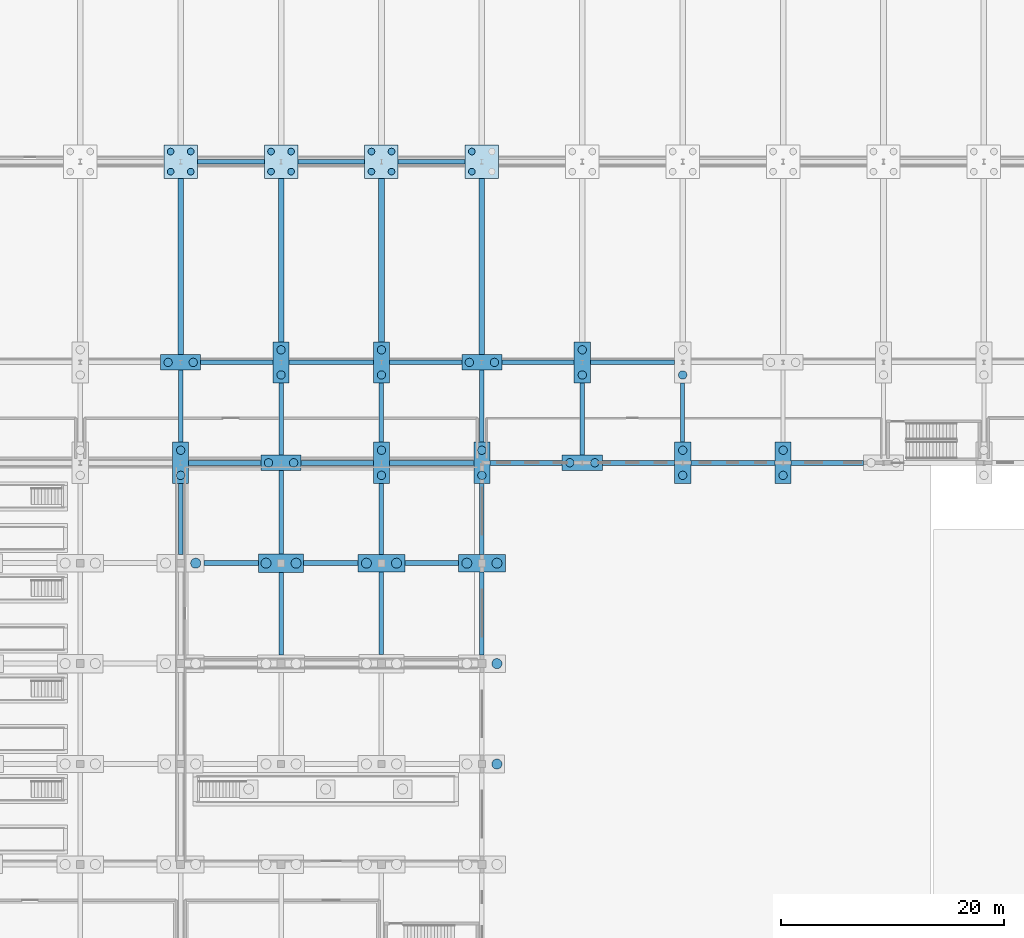
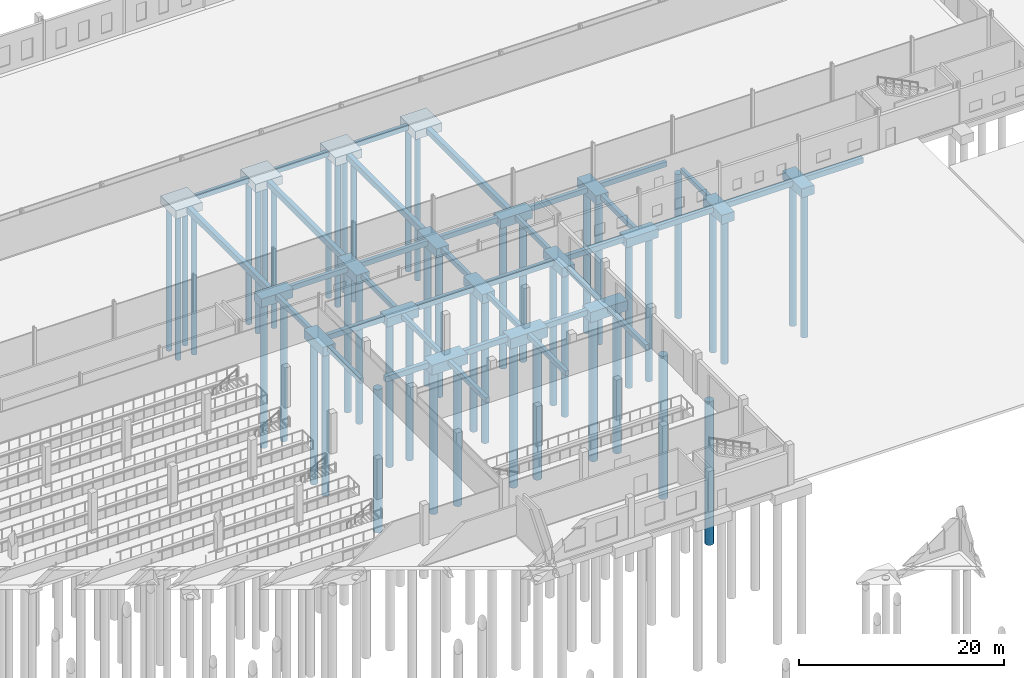
# One storey, part 9 of 112: 54 footings, 48 piles.
"""IFC4 building model written with IfcOpenShell, lengths in metres."""

import ifcopenshell
import ifcopenshell.guid

model = None  # the IFC model being written
_history = None  # IfcOwnerHistory: only IFC2X3 demands one
_inside = {}  # id of a spatial element -> (the spatial element, [elements in it])
_under = {}  # id of a project, library or spatial element -> (it, [spatial elements below it])
_declared = {}  # id of a project -> (the project, [libraries it declares])
_typed = {}  # id of a type object -> (the type object, [elements of that type])
_made_of = {}  # id of a material, layer set ... -> (it, [elements and type objects made of it])


def new_model(schema):
    """Start an empty IFC model of exactly this schema.

    Asked for "IFC4X3", IfcOpenShell would pick the latest addendum, in which some entities
    have other attributes; the version numbers below select the first issue.
    IFC2X3 requires an IfcOwnerHistory on every rooted entity: one is made here for all.
    """
    global model, _history
    if schema == "IFC4X3":
        model = ifcopenshell.file(schema_version=(4, 3, 0, 0))
    else:
        model = ifcopenshell.file(schema=schema)
    _inside.clear()
    _under.clear()
    _declared.clear()
    _typed.clear()
    _made_of.clear()
    _history = None
    if model.schema == "IFC2X3":
        org = make("IfcOrganization", Name="unknown")
        user = make(
            "IfcPersonAndOrganization",
            ThePerson=make("IfcPerson", FamilyName="unknown"),
            TheOrganization=org,
        )
        app = make(
            "IfcApplication",
            ApplicationDeveloper=org,
            Version="unknown",
            ApplicationFullName="unknown",
            ApplicationIdentifier="unknown",
        )
        _history = make(
            "IfcOwnerHistory",
            OwningUser=user,
            OwningApplication=app,
            ChangeAction="ADDED",
            CreationDate=0,
        )
    return model


def make(cls, **values):
    """One entity of the class cls with the attributes given. An attribute that is None is left unset."""
    return model.create_entity(
        cls, **{name: value for name, value in values.items() if value is not None}
    )


def rooted(cls, **values):
    """An entity with a GlobalId (a new one), such as an element, a storey or a relation."""
    return make(cls, GlobalId=ifcopenshell.guid.new(), OwnerHistory=_history, **values)


def si_unit(unit_type, name, prefix=None):
    """IfcSIUnit, for example si_unit("LENGTHUNIT", "METRE", prefix="MILLI")."""
    return make("IfcSIUnit", UnitType=unit_type, Prefix=prefix, Name=name)


def assignment(units):
    """IfcUnitAssignment: the units of a project."""
    return None if units is None else make("IfcUnitAssignment", Units=units)


def point(xyz):
    """IfcCartesianPoint."""
    return None if xyz is None else make("IfcCartesianPoint", Coordinates=xyz)


def direction(xyz):
    """IfcDirection."""
    return None if xyz is None else make("IfcDirection", DirectionRatios=xyz)


def frame(location, z_axis=None, x_axis=None):
    """IfcAxis2Placement3D, a coordinate frame: its origin and axes. An axis left out is left unset."""
    return make(
        "IfcAxis2Placement3D",
        Location=point(location),
        Axis=direction(z_axis),
        RefDirection=direction(x_axis),
    )


def frame_2d(location, x_axis=None):
    """IfcAxis2Placement2D, a coordinate frame in the plane: its origin and x axis."""
    return make(
        "IfcAxis2Placement2D", Location=point(location), RefDirection=direction(x_axis)
    )


def origin():
    """The frame at (0, 0, 0) with its axes left unset."""
    return frame((0.0, 0.0, 0.0))


def origin_2d():
    """The frame at (0, 0) in the plane with its x axis left unset."""
    return frame_2d((0.0, 0.0))


def place(relative_to, where):
    """IfcLocalPlacement: puts the frame where relative to a parent placement (None: the world)."""
    return make(
        "IfcLocalPlacement", PlacementRelTo=relative_to, RelativePlacement=where
    )


def context(
    kind, dimensions, precision=None, world=None, true_north=None, identifier=None
):
    """IfcGeometricRepresentationContext, for example the 3D "Model" context."""
    return make(
        "IfcGeometricRepresentationContext",
        ContextIdentifier=identifier,
        ContextType=kind,
        CoordinateSpaceDimension=dimensions,
        Precision=precision,
        WorldCoordinateSystem=world,
        TrueNorth=true_north,
    )


def subcontext(parent, identifier, kind, view, scale=None):
    """IfcGeometricRepresentationSubContext, for example "Body" below "Model"."""
    return make(
        "IfcGeometricRepresentationSubContext",
        ContextIdentifier=identifier,
        ContextType=kind,
        ParentContext=parent,
        TargetScale=scale,
        TargetView=view,
    )


def project(units=None, contexts=None):
    """IfcProject with its units and contexts."""
    return rooted(
        "IfcProject",
        Name="project",
        RepresentationContexts=contexts,
        UnitsInContext=assignment(units),
    )


def spatial(cls, under=None, at=None, **own):
    """A site, building, storey or space (cls), placed at a placement, below another one or the project."""
    s = rooted(cls, ObjectPlacement=at, **own)
    if under is not None:
        _under.setdefault(under.id(), (under, []))[1].append(s)
    return s


def polyline(points):
    """IfcPolyline through the points."""
    return make("IfcPolyline", Points=[point(p) for p in points])


def profile(cls, at=None, kind="AREA", **sizes):
    """A parametric profile (cls). Its sizes go by their IFC names, for example OverallWidth=200.0."""
    return make(cls, ProfileType=kind, Position=at, **sizes)


def rectangle(**sizes):
    """IfcRectangleProfileDef."""
    return profile("IfcRectangleProfileDef", **sizes)


def circle(**sizes):
    """IfcCircleProfileDef."""
    return profile("IfcCircleProfileDef", **sizes)


def outline(outer, holes=None, kind="AREA"):
    """IfcArbitraryClosedProfileDef: a profile drawn as a closed curve; with holes, ...WithVoids."""
    if holes is None:
        return make("IfcArbitraryClosedProfileDef", ProfileType=kind, OuterCurve=outer)
    return make(
        "IfcArbitraryProfileDefWithVoids",
        ProfileType=kind,
        OuterCurve=outer,
        InnerCurves=holes,
    )


def extrude(swept, where, along, depth):
    """IfcExtrudedAreaSolid: the profile swept, set in the frame where, extruded along a direction by depth."""
    return make(
        "IfcExtrudedAreaSolid",
        SweptArea=swept,
        Position=where,
        ExtrudedDirection=direction(along),
        Depth=depth,
    )


def shape(context_of_items, identifier, shape_type, items):
    """IfcShapeRepresentation: the items that make up one representation, for example the "Body"."""
    return make(
        "IfcShapeRepresentation",
        ContextOfItems=context_of_items,
        RepresentationIdentifier=identifier,
        RepresentationType=shape_type,
        Items=items,
    )


def material(Name=None, Category=None):
    """IfcMaterial."""
    return make("IfcMaterial", Name=Name, Category=Category)


def material_profile(
    of_material, cross_section, Name=None, Category=None, Priority=None
):
    """IfcMaterialProfile: a cross section and its material."""
    return make(
        "IfcMaterialProfile",
        Name=Name,
        Material=of_material,
        Profile=cross_section,
        Priority=Priority,
        Category=Category,
    )


def profile_set(profiles, Name=None, composite=None):
    """IfcMaterialProfileSet."""
    return make(
        "IfcMaterialProfileSet",
        Name=Name,
        MaterialProfiles=profiles,
        CompositeProfile=composite,
    )


def made_of(thing, what):
    """Note that an element or type object is made of a material, layer set ...; save() writes the relation."""
    if what is not None:
        _made_of.setdefault(what.id(), (what, []))[1].append(thing)
    return thing


def type_object(cls, material=None, **own):
    """A type object (cls), such as IfcWallType, which elements share."""
    return made_of(rooted(cls, **own), material)


def element(
    cls,
    number,
    at=None,
    inside=None,
    cuts=None,
    type_object=None,
    material=None,
    context=None,
    identifier="Body",
    shape_type=None,
    held_by="IfcProductDefinitionShape",
    body=None,
    shapes=None,
    **own,
):
    """One element of the class cls, such as IfcWall. Its Tag is "e" and its number.

    at: its placement. inside: the storey or other place that contains it. cuts: it is an
    opening in that element (IfcRelVoidsElement). A single representation is given by context,
    identifier, shape_type and body (its items); several are given by shapes. held_by: the class
    of the entity that holds the representations. save() writes the other relations.
    """
    e = rooted(cls, Tag="e%d" % number, ObjectPlacement=at, **own)
    if body is not None:
        shapes = [shape(context, identifier, shape_type, body)]
    if shapes is not None:
        e.Representation = make(held_by, Representations=shapes)
    if inside is not None:
        _inside.setdefault(inside.id(), (inside, []))[1].append(e)
    if cuts is not None:
        rooted(
            "IfcRelVoidsElement", RelatingBuildingElement=cuts, RelatedOpeningElement=e
        )
    if type_object is not None:
        _typed.setdefault(type_object.id(), (type_object, []))[1].append(e)
    return made_of(e, material)


def aggregate(whole, parts):
    """IfcRelAggregates: a whole, such as a stair, and the parts it consists of."""
    return rooted("IfcRelAggregates", RelatingObject=whole, RelatedObjects=parts)


def save(model, path):
    """Write the relations noted so far, then the file.

    IfcRelAggregates (storeys below a building ...), IfcRelContainedInSpatialStructure (elements
    in a storey), IfcRelDefinesByType, IfcRelAssociatesMaterial and IfcRelDeclares: one each for
    every whole, place, type object, material and project.
    """
    for whole, parts in _under.values():
        aggregate(whole, parts)
    for where, things in _inside.values():
        rooted(
            "IfcRelContainedInSpatialStructure",
            RelatedElements=things,
            RelatingStructure=where,
        )
    for kind, things in _typed.values():
        rooted("IfcRelDefinesByType", RelatedObjects=things, RelatingType=kind)
    for what, things in _made_of.values():
        rooted("IfcRelAssociatesMaterial", RelatedObjects=things, RelatingMaterial=what)
    for by, libraries in _declared.values():
        rooted("IfcRelDeclares", RelatingContext=by, RelatedDefinitions=libraries)
    model.write(path)


model = new_model("IFC4")

# Units and contexts
model_context = context("Model", 3, precision=1e-05, world=origin(), true_north=direction((0.0, 1.0)))
body_context = subcontext(model_context, "Body", "Model", "MODEL_VIEW")
ifc_project = project(units=[si_unit("LENGTHUNIT", "METRE"), si_unit("AREAUNIT", "SQUARE_METRE"), si_unit("VOLUMEUNIT", "CUBIC_METRE"), si_unit("PLANEANGLEUNIT", "RADIAN"), si_unit("MASSUNIT", "GRAM", prefix="KILO")], contexts=[model_context])

# Site, building, storey
site_placement = place(None, origin())
site = spatial("IfcSite", under=ifc_project, at=site_placement, CompositionType="ELEMENT")
building_placement = place(site_placement, origin())
building = spatial("IfcBuilding", under=site, at=building_placement, Name="Tharagai Park Tramway Depot", CompositionType="ELEMENT")
storey_placement = place(building_placement, origin())
storey = spatial("IfcBuildingStorey", under=building, at=storey_placement, Name="L00", CompositionType="ELEMENT", Elevation=0.0)

# Piles
ifc_material = material(Name="Concrete M40", Category="concrete")
ifc_material_profile_1 = material_profile(ifc_material, circle(Radius=0.449951171875, at=origin_2d()), Name="PILE D900")
ifc_profile_set_1 = profile_set([ifc_material_profile_1], Name="Concrete M40")
pile_type_1 = type_object("IfcPileType", Name="BP-01", PredefinedType="BORED", material=ifc_profile_set_1)
pile_1_placement = place(storey_placement, frame((64.35009765625, 81.0, -1.39990234375), z_axis=(0.0, 0.0, -1.0), x_axis=(1.0, 0.0, 0.0)))
element("IfcPile", 1, at=pile_1_placement, inside=storey, type_object=pile_type_1, Name="Bored Pile BP-01 (63,81) #2", PredefinedType="BORED", context=body_context, shape_type="SweptSolid", body=[
    extrude(circle(Radius=0.449951171875, at=origin_2d()), origin(), (0.0, 0.0, 1.0), 17.10009765625),
])
for number, where, z_axis, x_axis, name in (
    (2, (70.64990234375, 81.0, -1.3798828125), (0.0, 0.0, -1.0), (1.0, 0.0, 0.0), "Bored Pile BP-01 (72,81) #1"),
    (3, (73.35009765625, 81.0, -1.3798828125), (0.0, 0.0, -1.0), (1.0, 0.0, 0.0), "Bored Pile BP-01 (72,81) #2"),
):
    element("IfcPile", number, at=place(storey_placement, frame(where, z_axis=z_axis, x_axis=x_axis)), inside=storey, type_object=pile_type_1, Name=name, PredefinedType="BORED", context=body_context, shape_type="SweptSolid", body=[
        extrude(circle(Radius=0.449951171875, at=origin_2d()), origin(), (0.0, 0.0, 1.0), 17.1201171875),
    ])
for number, where, z_axis, x_axis, name in (
    (4, (79.64990234375, 81.0, -1.39990234375), (0.0, 0.0, -1.0), (1.0, 0.0, 0.0), "Bored Pile BP-01 (81,81) #1"),
    (5, (82.35009765625, 81.0, -1.39990234375), (0.0, 0.0, -1.0), (1.0, 0.0, 0.0), "Bored Pile BP-01 (81,81) #2"),
):
    element("IfcPile", number, at=place(storey_placement, frame(where, z_axis=z_axis, x_axis=x_axis)), inside=storey, type_object=pile_type_1, Name=name, PredefinedType="BORED", context=body_context, shape_type="SweptSolid", body=[
        extrude(circle(Radius=0.449951171875, at=origin_2d()), origin(), (0.0, 0.0, 1.0), 17.10009765625),
    ])
pile_2_placement = place(storey_placement, frame((91.35009765625, 63.0, -1.3798828125), z_axis=(0.0, 0.0, -1.0), x_axis=(1.0, 0.0, 0.0)))
element("IfcPile", 6, at=pile_2_placement, inside=storey, type_object=pile_type_1, Name="Bored Pile BP-01 (90,63) #2", PredefinedType="BORED", context=body_context, shape_type="SweptSolid", body=[
    extrude(circle(Radius=0.449951171875, at=origin_2d()), origin(), (0.0, 0.0, 1.0), 17.1201171875),
])
for number, where, z_axis, x_axis, name in (
    (7, (91.35009765625, 72.0, -1.39990234375), (0.0, 0.0, -1.0), (1.0, 0.0, 0.0), "Bored Pile BP-01 (90,72) #2"),
    (8, (88.64990234375, 81.0, -1.39990234375), (0.0, 0.0, -1.0), (1.0, 0.0, 0.0), "Bored Pile BP-01 (90,81) #1"),
    (9, (91.35009765625, 81.0, -1.39990234375), (0.0, 0.0, -1.0), (1.0, 0.0, 0.0), "Bored Pile BP-01 (90,81) #2"),
):
    element("IfcPile", number, at=place(storey_placement, frame(where, z_axis=z_axis, x_axis=x_axis)), inside=storey, type_object=pile_type_1, Name=name, PredefinedType="BORED", context=body_context, shape_type="SweptSolid", body=[
        extrude(circle(Radius=0.449951171875, at=origin_2d()), origin(), (0.0, 0.0, 1.0), 17.10009765625),
    ])
ifc_material_profile_2 = material_profile(ifc_material, circle(Radius=0.375, at=origin_2d()), Name="PILE D750")
ifc_profile_set_2 = profile_set([ifc_material_profile_2], Name="Concrete M40")
pile_type_2 = type_object("IfcPileType", Name="BP-02", PredefinedType="BORED", material=ifc_profile_set_2)
for number, where, z_axis, x_axis, name in (
    (10, (63.0, 88.875, -1.280029296875), (0.0, 0.0, -1.0), (1.0, 0.0, 0.0), "Bored Pile BP-02 (63,90) #1"),
    (11, (63.0, 91.125, -1.280029296875), (0.0, 0.0, -1.0), (1.0, 0.0, 0.0), "Bored Pile BP-02 (63,90) #2"),
):
    element("IfcPile", number, at=place(storey_placement, frame(where, z_axis=z_axis, x_axis=x_axis)), inside=storey, type_object=pile_type_2, Name=name, PredefinedType="BORED", context=body_context, shape_type="SweptSolid", body=[
        extrude(circle(Radius=0.375, at=origin_2d()), origin(), (0.0, 0.0, 1.0), 17.219970703125),
    ])
for number, where, z_axis, x_axis, name in (
    (12, (61.875, 99.0, -1.25), (0.0, 0.0, -1.0), (1.0, 0.0, 0.0), "Bored Pile BP-02 (63,99) #1"),
    (13, (64.125, 99.0, -1.25), (0.0, 0.0, -1.0), (1.0, 0.0, 0.0), "Bored Pile BP-02 (63,99) #2"),
    (14, (70.875, 90.0, -1.25), (0.0, 0.0, -1.0), (1.0, 0.0, 0.0), "Bored Pile BP-02 (72,90) #1"),
    (15, (73.125, 90.0, -1.25), (0.0, 0.0, -1.0), (1.0, 0.0, 0.0), "Bored Pile BP-02 (72,90) #2"),
):
    element("IfcPile", number, at=place(storey_placement, frame(where, z_axis=z_axis, x_axis=x_axis)), inside=storey, type_object=pile_type_2, Name=name, PredefinedType="BORED", context=body_context, shape_type="SweptSolid", body=[
        extrude(circle(Radius=0.375, at=origin_2d()), origin(), (0.0, 0.0, 1.0), 17.25),
    ])
for number, where, z_axis, x_axis, name in (
    (16, (72.0, 97.875, -1.280029296875), (0.0, 0.0, -1.0), (1.0, 0.0, 0.0), "Bored Pile BP-02 (72,99) #1"),
    (17, (72.0, 100.125, -1.280029296875), (0.0, 0.0, -1.0), (1.0, 0.0, 0.0), "Bored Pile BP-02 (72,99) #2"),
    (18, (81.0, 88.875, -1.280029296875), (0.0, 0.0, -1.0), (1.0, 0.0, 0.0), "Bored Pile BP-02 (81,90) #1"),
    (19, (81.0, 91.125, -1.280029296875), (0.0, 0.0, -1.0), (1.0, 0.0, 0.0), "Bored Pile BP-02 (81,90) #2"),
    (20, (81.0, 97.875, -1.280029296875), (0.0, 0.0, -1.0), (1.0, 0.0, 0.0), "Bored Pile BP-02 (81,99) #1"),
    (21, (81.0, 100.125, -1.280029296875), (0.0, 0.0, -1.0), (1.0, 0.0, 0.0), "Bored Pile BP-02 (81,99) #2"),
    (22, (90.0, 88.875, -1.280029296875), (0.0, 0.0, -1.0), (1.0, 0.0, 0.0), "Bored Pile BP-02 (90,90) #1"),
    (23, (90.0, 91.125, -1.280029296875), (0.0, 0.0, -1.0), (1.0, 0.0, 0.0), "Bored Pile BP-02 (90,90) #2"),
):
    element("IfcPile", number, at=place(storey_placement, frame(where, z_axis=z_axis, x_axis=x_axis)), inside=storey, type_object=pile_type_2, Name=name, PredefinedType="BORED", context=body_context, shape_type="SweptSolid", body=[
        extrude(circle(Radius=0.375, at=origin_2d()), origin(), (0.0, 0.0, 1.0), 17.219970703125),
    ])
for number, where, z_axis, x_axis, name in (
    (24, (88.875, 99.0, -1.25), (0.0, 0.0, -1.0), (1.0, 0.0, 0.0), "Bored Pile BP-02 (90,99) #1"),
    (25, (91.125, 99.0, -1.25), (0.0, 0.0, -1.0), (1.0, 0.0, 0.0), "Bored Pile BP-02 (90,99) #2"),
    (26, (97.875, 90.0, -1.25), (0.0, 0.0, -1.0), (1.0, 0.0, 0.0), "Bored Pile BP-02 (99,90) #1"),
    (27, (100.125, 90.0, -1.25), (0.0, 0.0, -1.0), (1.0, 0.0, 0.0), "Bored Pile BP-02 (99,90) #2"),
):
    element("IfcPile", number, at=place(storey_placement, frame(where, z_axis=z_axis, x_axis=x_axis)), inside=storey, type_object=pile_type_2, Name=name, PredefinedType="BORED", context=body_context, shape_type="SweptSolid", body=[
        extrude(circle(Radius=0.375, at=origin_2d()), origin(), (0.0, 0.0, 1.0), 17.25),
    ])
for number, where, z_axis, x_axis, name in (
    (28, (99.0, 97.875, -1.280029296875), (0.0, 0.0, -1.0), (1.0, 0.0, 0.0), "Bored Pile BP-02 (99,99) #1"),
    (29, (99.0, 100.125, -1.280029296875), (0.0, 0.0, -1.0), (1.0, 0.0, 0.0), "Bored Pile BP-02 (99,99) #2"),
    (30, (108.0, 88.875, -1.280029296875), (0.0, 0.0, -1.0), (1.0, 0.0, 0.0), "Bored Pile BP-02 (108,90) #1"),
    (31, (108.0, 91.125, -1.280029296875), (0.0, 0.0, -1.0), (1.0, 0.0, 0.0), "Bored Pile BP-02 (108,90) #2"),
    (32, (108.0, 97.875, -1.280029296875), (0.0, 0.0, -1.0), (1.0, 0.0, 0.0), "Bored Pile BP-02 (108,99) #1"),
    (33, (117.0, 88.875, -1.280029296875), (0.0, 0.0, -1.0), (1.0, 0.0, 0.0), "Bored Pile BP-02 (117,90) #1"),
    (34, (117.0, 91.125, -1.280029296875), (0.0, 0.0, -1.0), (1.0, 0.0, 0.0), "Bored Pile BP-02 (117,90) #2"),
):
    element("IfcPile", number, at=place(storey_placement, frame(where, z_axis=z_axis, x_axis=x_axis)), inside=storey, type_object=pile_type_2, Name=name, PredefinedType="BORED", context=body_context, shape_type="SweptSolid", body=[
        extrude(circle(Radius=0.375, at=origin_2d()), origin(), (0.0, 0.0, 1.0), 17.219970703125),
    ])
ifc_material_profile_3 = material_profile(ifc_material, circle(Radius=0.300048828125, at=origin_2d()), Name="PILE D600")
ifc_profile_set_3 = profile_set([ifc_material_profile_3], Name="Concrete M40")
pile_type_3 = type_object("IfcPileType", Name="BP-03", PredefinedType="BORED", material=ifc_profile_set_3)
for number, where, z_axis, x_axis, name in (
    (35, (62.10009765625, 116.10009765625, -1.199951171875), (0.0, 0.0, -1.0), (1.0, 0.0, 0.0), "Bored Pile BP-03 (63,117) #1"),
    (36, (63.89990234375, 116.10009765625, -1.199951171875), (0.0, 0.0, -1.0), (1.0, 0.0, 0.0), "Bored Pile BP-03 (63,117) #2"),
    (37, (62.10009765625, 117.89990234375, -1.199951171875), (0.0, 0.0, -1.0), (1.0, 0.0, 0.0), "Bored Pile BP-03 (63,117) #3"),
    (38, (63.89990234375, 117.89990234375, -1.199951171875), (0.0, 0.0, -1.0), (1.0, 0.0, 0.0), "Bored Pile BP-03 (63,117) #4"),
    (39, (71.10009765625, 116.10009765625, -1.199951171875), (0.0, 0.0, -1.0), (1.0, 0.0, 0.0), "Bored Pile BP-03 (72,117) #1"),
    (40, (72.89990234375, 116.10009765625, -1.199951171875), (0.0, 0.0, -1.0), (1.0, 0.0, 0.0), "Bored Pile BP-03 (72,117) #2"),
    (41, (71.10009765625, 117.89990234375, -1.199951171875), (0.0, 0.0, -1.0), (1.0, 0.0, 0.0), "Bored Pile BP-03 (72,117) #3"),
    (42, (72.89990234375, 117.89990234375, -1.199951171875), (0.0, 0.0, -1.0), (1.0, 0.0, 0.0), "Bored Pile BP-03 (72,117) #4"),
    (43, (80.10009765625, 116.10009765625, -1.199951171875), (0.0, 0.0, -1.0), (1.0, 0.0, 0.0), "Bored Pile BP-03 (81,117) #1"),
    (44, (81.89990234375, 116.10009765625, -1.199951171875), (0.0, 0.0, -1.0), (1.0, 0.0, 0.0), "Bored Pile BP-03 (81,117) #2"),
    (45, (80.10009765625, 117.89990234375, -1.199951171875), (0.0, 0.0, -1.0), (1.0, 0.0, 0.0), "Bored Pile BP-03 (81,117) #3"),
    (46, (81.89990234375, 117.89990234375, -1.199951171875), (0.0, 0.0, -1.0), (1.0, 0.0, 0.0), "Bored Pile BP-03 (81,117) #4"),
    (47, (89.10009765625, 116.10009765625, -1.199951171875), (0.0, 0.0, -1.0), (1.0, 0.0, 0.0), "Bored Pile BP-03 (90,117) #1"),
    (48, (89.10009765625, 117.89990234375, -1.199951171875), (0.0, 0.0, -1.0), (1.0, 0.0, 0.0), "Bored Pile BP-03 (90,117) #3"),
):
    element("IfcPile", number, at=place(storey_placement, frame(where, z_axis=z_axis, x_axis=x_axis)), inside=storey, type_object=pile_type_3, Name=name, PredefinedType="BORED", context=body_context, shape_type="SweptSolid", body=[
        extrude(circle(Radius=0.300048828125, at=origin_2d()), origin(), (0.0, 0.0, 1.0), 17.300048828125),
    ])

# Footings
footing_type_1 = type_object("IfcFootingType", Name="GB-01", PredefinedType="FOOTING_BEAM", material=ifc_material)
footing_1_placement = place(storey_placement, frame((0.0, 0.0, -0.949951171875)))
element("IfcFooting", 49, at=footing_1_placement, inside=storey, type_object=footing_type_1, Name="Ground Tie Beam GB-01", PredefinedType="FOOTING_BEAM", context=body_context, shape_type="SweptSolid", body=[
    extrude(outline(polyline([(65.10009765625, 80.77490234375), (69.97509765625, 80.77490234375), (69.97509765625, 81.22509765625), (65.10009765625, 81.22509765625), (65.10009765625, 80.77490234375)])), origin(), (0.0, 0.0, 1.0), 0.64990234375),
])
footing_2_placement = place(storey_placement, frame((0.0, 0.0, -0.949951171875)))
element("IfcFooting", 50, at=footing_2_placement, inside=storey, type_object=footing_type_1, Name="Ground Tie Beam GB-01", PredefinedType="FOOTING_BEAM", context=body_context, shape_type="SweptSolid", body=[
    extrude(outline(polyline([(74.02490234375, 80.77490234375), (78.89990234375, 80.77490234375), (78.89990234375, 81.22509765625), (74.02490234375, 81.22509765625), (74.02490234375, 80.77490234375)])), origin(), (0.0, 0.0, 1.0), 0.64990234375),
])
footing_3_placement = place(storey_placement, frame((0.0, 0.0, -0.949951171875)))
element("IfcFooting", 51, at=footing_3_placement, inside=storey, type_object=footing_type_1, Name="Ground Tie Beam GB-01", PredefinedType="FOOTING_BEAM", context=body_context, shape_type="SweptSolid", body=[
    extrude(outline(polyline([(83.10009765625, 80.77490234375), (87.89990234375, 80.77490234375), (87.89990234375, 81.22509765625), (83.10009765625, 81.22509765625), (83.10009765625, 80.77490234375)])), origin(), (0.0, 0.0, 1.0), 0.64990234375),
])
footing_4_placement = place(storey_placement, frame((0.0, 0.0, -0.949951171875)))
element("IfcFooting", 52, at=footing_4_placement, inside=storey, type_object=footing_type_1, Name="Ground Tie Beam GB-01", PredefinedType="FOOTING_BEAM", context=body_context, shape_type="SweptSolid", body=[
    extrude(outline(polyline([(63.72509765625, 89.77490234375), (70.199951171875, 89.77490234375), (70.199951171875, 90.22509765625), (63.72509765625, 90.22509765625), (63.72509765625, 89.77490234375)])), origin(), (0.0, 0.0, 1.0), 0.64990234375),
])
footing_5_placement = place(storey_placement, frame((0.0, 0.0, -0.949951171875)))
element("IfcFooting", 53, at=footing_5_placement, inside=storey, type_object=footing_type_1, Name="Ground Tie Beam GB-01", PredefinedType="FOOTING_BEAM", context=body_context, shape_type="SweptSolid", body=[
    extrude(outline(polyline([(73.800048828125, 89.77490234375), (80.27490234375, 89.77490234375), (80.27490234375, 90.22509765625), (73.800048828125, 90.22509765625), (73.800048828125, 89.77490234375)])), origin(), (0.0, 0.0, 1.0), 0.64990234375),
])
footing_6_placement = place(storey_placement, frame((0.0, 0.0, -0.949951171875)))
element("IfcFooting", 54, at=footing_6_placement, inside=storey, type_object=footing_type_1, Name="Ground Tie Beam GB-01", PredefinedType="FOOTING_BEAM", context=body_context, shape_type="SweptSolid", body=[
    extrude(outline(polyline([(81.72509765625, 89.77490234375), (89.27490234375, 89.77490234375), (89.27490234375, 90.22509765625), (81.72509765625, 90.22509765625), (81.72509765625, 89.77490234375)])), origin(), (0.0, 0.0, 1.0), 0.64990234375),
])
footing_7_placement = place(storey_placement, frame((0.0, 0.0, -0.949951171875)))
element("IfcFooting", 55, at=footing_7_placement, inside=storey, type_object=footing_type_1, Name="Ground Tie Beam GB-01", PredefinedType="FOOTING_BEAM", context=body_context, shape_type="SweptSolid", body=[
    extrude(outline(polyline([(90.72509765625, 89.77490234375), (97.199951171875, 89.77490234375), (97.199951171875, 90.22509765625), (90.72509765625, 90.22509765625), (90.72509765625, 89.77490234375)])), origin(), (0.0, 0.0, 1.0), 0.64990234375),
])
footing_8_placement = place(storey_placement, frame((0.0, 0.0, -0.949951171875)))
element("IfcFooting", 56, at=footing_8_placement, inside=storey, type_object=footing_type_1, Name="Ground Tie Beam GB-01", PredefinedType="FOOTING_BEAM", context=body_context, shape_type="SweptSolid", body=[
    extrude(outline(polyline([(100.800048828125, 89.77490234375), (107.27490234375, 89.77490234375), (107.27490234375, 90.22509765625), (100.800048828125, 90.22509765625), (100.800048828125, 89.77490234375)])), origin(), (0.0, 0.0, 1.0), 0.64990234375),
])
footing_9_placement = place(storey_placement, frame((0.0, 0.0, -0.949951171875)))
element("IfcFooting", 57, at=footing_9_placement, inside=storey, type_object=footing_type_1, Name="Ground Tie Beam GB-01", PredefinedType="FOOTING_BEAM", context=body_context, shape_type="SweptSolid", body=[
    extrude(outline(polyline([(108.72509765625, 89.77490234375), (116.27490234375, 89.77490234375), (116.27490234375, 90.22509765625), (108.72509765625, 90.22509765625), (108.72509765625, 89.77490234375)])), origin(), (0.0, 0.0, 1.0), 0.64990234375),
])
footing_10_placement = place(storey_placement, frame((0.0, 0.0, -0.949951171875)))
element("IfcFooting", 58, at=footing_10_placement, inside=storey, type_object=footing_type_1, Name="Ground Tie Beam GB-01", PredefinedType="FOOTING_BEAM", context=body_context, shape_type="SweptSolid", body=[
    extrude(outline(polyline([(117.72509765625, 89.77490234375), (124.199951171875, 89.77490234375), (124.199951171875, 90.22509765625), (117.72509765625, 90.22509765625), (117.72509765625, 89.77490234375)])), origin(), (0.0, 0.0, 1.0), 0.64990234375),
])
footing_type_2 = type_object("IfcFootingType", Name="GB-02", PredefinedType="FOOTING_BEAM", material=ifc_material)
footing_11_placement = place(storey_placement, frame((0.0, 0.0, -1.0)))
element("IfcFooting", 59, at=footing_11_placement, inside=storey, type_object=footing_type_2, Name="Ground Tie Beam GB-02", PredefinedType="FOOTING_BEAM", context=body_context, shape_type="SweptSolid", body=[
    extrude(outline(polyline([(62.75, 99.699951171875), (63.25, 99.699951171875), (63.25, 115.5), (62.75, 115.5), (62.75, 99.699951171875)])), origin(), (0.0, 0.0, 1.0), 0.699951171875),
])
footing_12_placement = place(storey_placement, frame((0.0, 0.0, -1.0)))
element("IfcFooting", 60, at=footing_12_placement, inside=storey, type_object=footing_type_2, Name="Ground Tie Beam GB-02", PredefinedType="FOOTING_BEAM", context=body_context, shape_type="SweptSolid", body=[
    extrude(outline(polyline([(71.75, 100.85009765625), (72.25, 100.85009765625), (72.25, 115.5), (71.75, 115.5), (71.75, 100.85009765625)])), origin(), (0.0, 0.0, 1.0), 0.699951171875),
])
footing_13_placement = place(storey_placement, frame((0.0, 0.0, -1.0)))
element("IfcFooting", 61, at=footing_13_placement, inside=storey, type_object=footing_type_2, Name="Ground Tie Beam GB-02", PredefinedType="FOOTING_BEAM", context=body_context, shape_type="SweptSolid", body=[
    extrude(outline(polyline([(80.75, 100.85009765625), (81.25, 100.85009765625), (81.25, 115.5), (80.75, 115.5), (80.75, 100.85009765625)])), origin(), (0.0, 0.0, 1.0), 0.699951171875),
])
footing_14_placement = place(storey_placement, frame((0.0, 0.0, -1.0)))
element("IfcFooting", 62, at=footing_14_placement, inside=storey, type_object=footing_type_2, Name="Ground Tie Beam GB-02", PredefinedType="FOOTING_BEAM", context=body_context, shape_type="SweptSolid", body=[
    extrude(outline(polyline([(89.75, 99.699951171875), (90.25, 99.699951171875), (90.25, 115.5), (89.75, 115.5), (89.75, 99.699951171875)])), origin(), (0.0, 0.0, 1.0), 0.699951171875),
])
footing_type_3 = type_object("IfcFootingType", Name="GB-03", PredefinedType="FOOTING_BEAM", material=ifc_material)
footing_15_placement = place(storey_placement, frame((0.0, 0.0, -0.85009765625)))
element("IfcFooting", 63, at=footing_15_placement, inside=storey, type_object=footing_type_3, Name="Ground Tie Beam GB-03", PredefinedType="FOOTING_BEAM", context=body_context, shape_type="SweptSolid", body=[
    extrude(outline(polyline([(107.824951171875, 91.85009765625), (108.175048828125, 91.85009765625), (108.175048828125, 97.14990234375), (107.824951171875, 97.14990234375), (107.824951171875, 91.85009765625)])), origin(), (0.0, 0.0, 1.0), 0.550048828125),
])
footing_type_4 = type_object("IfcFootingType", Name="GB-04", PredefinedType="FOOTING_BEAM", material=ifc_material)
footing_16_placement = place(storey_placement, frame((0.0, 0.0, -0.89990234375)))
element("IfcFooting", 64, at=footing_16_placement, inside=storey, type_object=footing_type_4, Name="Ground Tie Beam GB-04", PredefinedType="FOOTING_BEAM", context=body_context, shape_type="SweptSolid", body=[
    extrude(outline(polyline([(64.800048828125, 98.800048828125), (71.27490234375, 98.800048828125), (71.27490234375, 99.199951171875), (64.800048828125, 99.199951171875), (64.800048828125, 98.800048828125)])), origin(), (0.0, 0.0, 1.0), 0.599853515625),
])
footing_17_placement = place(storey_placement, frame((0.0, 0.0, -0.89990234375)))
element("IfcFooting", 65, at=footing_17_placement, inside=storey, type_object=footing_type_4, Name="Ground Tie Beam GB-04", PredefinedType="FOOTING_BEAM", context=body_context, shape_type="SweptSolid", body=[
    extrude(outline(polyline([(72.72509765625, 98.800048828125), (80.27490234375, 98.800048828125), (80.27490234375, 99.199951171875), (72.72509765625, 99.199951171875), (72.72509765625, 98.800048828125)])), origin(), (0.0, 0.0, 1.0), 0.599853515625),
])
footing_18_placement = place(storey_placement, frame((0.0, 0.0, -0.89990234375)))
element("IfcFooting", 66, at=footing_18_placement, inside=storey, type_object=footing_type_4, Name="Ground Tie Beam GB-04", PredefinedType="FOOTING_BEAM", context=body_context, shape_type="SweptSolid", body=[
    extrude(outline(polyline([(81.72509765625, 98.800048828125), (88.199951171875, 98.800048828125), (88.199951171875, 99.199951171875), (81.72509765625, 99.199951171875), (81.72509765625, 98.800048828125)])), origin(), (0.0, 0.0, 1.0), 0.599853515625),
])
footing_19_placement = place(storey_placement, frame((0.0, 0.0, -0.89990234375)))
element("IfcFooting", 67, at=footing_19_placement, inside=storey, type_object=footing_type_4, Name="Ground Tie Beam GB-04", PredefinedType="FOOTING_BEAM", context=body_context, shape_type="SweptSolid", body=[
    extrude(outline(polyline([(91.800048828125, 98.800048828125), (98.27490234375, 98.800048828125), (98.27490234375, 99.199951171875), (91.800048828125, 99.199951171875), (91.800048828125, 98.800048828125)])), origin(), (0.0, 0.0, 1.0), 0.599853515625),
])
footing_20_placement = place(storey_placement, frame((0.0, 0.0, -0.89990234375)))
element("IfcFooting", 68, at=footing_20_placement, inside=storey, type_object=footing_type_4, Name="Ground Tie Beam GB-04", PredefinedType="FOOTING_BEAM", context=body_context, shape_type="SweptSolid", body=[
    extrude(outline(polyline([(99.72509765625, 98.800048828125), (107.27490234375, 98.800048828125), (107.27490234375, 99.199951171875), (99.72509765625, 99.199951171875), (99.72509765625, 98.800048828125)])), origin(), (0.0, 0.0, 1.0), 0.599853515625),
])
footing_21_placement = place(storey_placement, frame((0.0, 0.0, -0.89990234375)))
element("IfcFooting", 69, at=footing_21_placement, inside=storey, type_object=footing_type_4, Name="Ground Tie Beam GB-04", PredefinedType="FOOTING_BEAM", context=body_context, shape_type="SweptSolid", body=[
    extrude(outline(polyline([(64.5, 116.800048828125), (70.5, 116.800048828125), (70.5, 117.199951171875), (64.5, 117.199951171875), (64.5, 116.800048828125)])), origin(), (0.0, 0.0, 1.0), 0.599853515625),
])
footing_22_placement = place(storey_placement, frame((0.0, 0.0, -0.89990234375)))
element("IfcFooting", 70, at=footing_22_placement, inside=storey, type_object=footing_type_4, Name="Ground Tie Beam GB-04", PredefinedType="FOOTING_BEAM", context=body_context, shape_type="SweptSolid", body=[
    extrude(outline(polyline([(73.5, 116.800048828125), (79.5, 116.800048828125), (79.5, 117.199951171875), (73.5, 117.199951171875), (73.5, 116.800048828125)])), origin(), (0.0, 0.0, 1.0), 0.599853515625),
])
footing_23_placement = place(storey_placement, frame((0.0, 0.0, -0.89990234375)))
element("IfcFooting", 71, at=footing_23_placement, inside=storey, type_object=footing_type_4, Name="Ground Tie Beam GB-04", PredefinedType="FOOTING_BEAM", context=body_context, shape_type="SweptSolid", body=[
    extrude(outline(polyline([(82.5, 116.800048828125), (88.5, 116.800048828125), (88.5, 117.199951171875), (82.5, 117.199951171875), (82.5, 116.800048828125)])), origin(), (0.0, 0.0, 1.0), 0.599853515625),
])
footing_24_placement = place(storey_placement, frame((0.0, 0.0, -0.89990234375)))
element("IfcFooting", 72, at=footing_24_placement, inside=storey, type_object=footing_type_4, Name="Ground Tie Beam GB-04", PredefinedType="FOOTING_BEAM", context=body_context, shape_type="SweptSolid", body=[
    extrude(outline(polyline([(62.800048828125, 81.77490234375), (63.199951171875, 81.77490234375), (63.199951171875, 88.14990234375), (62.800048828125, 88.14990234375), (62.800048828125, 81.77490234375)])), origin(), (0.0, 0.0, 1.0), 0.599853515625),
])
footing_25_placement = place(storey_placement, frame((0.0, 0.0, -0.89990234375)))
element("IfcFooting", 73, at=footing_25_placement, inside=storey, type_object=footing_type_4, Name="Ground Tie Beam GB-04", PredefinedType="FOOTING_BEAM", context=body_context, shape_type="SweptSolid", body=[
    extrude(outline(polyline([(62.800048828125, 91.85009765625), (63.199951171875, 91.85009765625), (63.199951171875, 98.300048828125), (62.800048828125, 98.300048828125), (62.800048828125, 91.85009765625)])), origin(), (0.0, 0.0, 1.0), 0.599853515625),
])
footing_26_placement = place(storey_placement, frame((0.0, 0.0, -0.89990234375)))
element("IfcFooting", 74, at=footing_26_placement, inside=storey, type_object=footing_type_4, Name="Ground Tie Beam GB-04", PredefinedType="FOOTING_BEAM", context=body_context, shape_type="SweptSolid", body=[
    extrude(outline(polyline([(71.800048828125, 72.77490234375), (72.199951171875, 72.77490234375), (72.199951171875, 80.175048828125), (71.800048828125, 80.175048828125), (71.800048828125, 72.77490234375)])), origin(), (0.0, 0.0, 1.0), 0.599853515625),
])
footing_27_placement = place(storey_placement, frame((0.0, 0.0, -0.89990234375)))
element("IfcFooting", 75, at=footing_27_placement, inside=storey, type_object=footing_type_4, Name="Ground Tie Beam GB-04", PredefinedType="FOOTING_BEAM", context=body_context, shape_type="SweptSolid", body=[
    extrude(outline(polyline([(71.800048828125, 81.824951171875), (72.199951171875, 81.824951171875), (72.199951171875, 89.300048828125), (71.800048828125, 89.300048828125), (71.800048828125, 81.824951171875)])), origin(), (0.0, 0.0, 1.0), 0.599853515625),
])
footing_28_placement = place(storey_placement, frame((0.0, 0.0, -0.89990234375)))
element("IfcFooting", 76, at=footing_28_placement, inside=storey, type_object=footing_type_4, Name="Ground Tie Beam GB-04", PredefinedType="FOOTING_BEAM", context=body_context, shape_type="SweptSolid", body=[
    extrude(outline(polyline([(71.800048828125, 90.699951171875), (72.199951171875, 90.699951171875), (72.199951171875, 97.14990234375), (71.800048828125, 97.14990234375), (71.800048828125, 90.699951171875)])), origin(), (0.0, 0.0, 1.0), 0.599853515625),
])
footing_29_placement = place(storey_placement, frame((0.0, 0.0, -0.89990234375)))
element("IfcFooting", 77, at=footing_29_placement, inside=storey, type_object=footing_type_4, Name="Ground Tie Beam GB-04", PredefinedType="FOOTING_BEAM", context=body_context, shape_type="SweptSolid", body=[
    extrude(outline(polyline([(80.800048828125, 72.824951171875), (81.199951171875, 72.824951171875), (81.199951171875, 80.22509765625), (80.800048828125, 80.22509765625), (80.800048828125, 72.824951171875)])), origin(), (0.0, 0.0, 1.0), 0.599853515625),
])
footing_30_placement = place(storey_placement, frame((0.0, 0.0, -0.89990234375)))
element("IfcFooting", 78, at=footing_30_placement, inside=storey, type_object=footing_type_4, Name="Ground Tie Beam GB-04", PredefinedType="FOOTING_BEAM", context=body_context, shape_type="SweptSolid", body=[
    extrude(outline(polyline([(80.800048828125, 81.77490234375), (81.199951171875, 81.77490234375), (81.199951171875, 88.14990234375), (80.800048828125, 88.14990234375), (80.800048828125, 81.77490234375)])), origin(), (0.0, 0.0, 1.0), 0.599853515625),
])
footing_31_placement = place(storey_placement, frame((0.0, 0.0, -0.89990234375)))
element("IfcFooting", 79, at=footing_31_placement, inside=storey, type_object=footing_type_4, Name="Ground Tie Beam GB-04", PredefinedType="FOOTING_BEAM", context=body_context, shape_type="SweptSolid", body=[
    extrude(outline(polyline([(80.800048828125, 91.85009765625), (81.199951171875, 91.85009765625), (81.199951171875, 97.14990234375), (80.800048828125, 97.14990234375), (80.800048828125, 91.85009765625)])), origin(), (0.0, 0.0, 1.0), 0.599853515625),
])
footing_32_placement = place(storey_placement, frame((0.0, 0.0, -0.89990234375)))
element("IfcFooting", 80, at=footing_32_placement, inside=storey, type_object=footing_type_4, Name="Ground Tie Beam GB-04", PredefinedType="FOOTING_BEAM", context=body_context, shape_type="SweptSolid", body=[
    extrude(outline(polyline([(89.800048828125, 72.77490234375), (90.199951171875, 72.77490234375), (90.199951171875, 80.22509765625), (89.800048828125, 80.22509765625), (89.800048828125, 72.77490234375)])), origin(), (0.0, 0.0, 1.0), 0.599853515625),
])
footing_33_placement = place(storey_placement, frame((0.0, 0.0, -0.89990234375)))
element("IfcFooting", 81, at=footing_33_placement, inside=storey, type_object=footing_type_4, Name="Ground Tie Beam GB-04", PredefinedType="FOOTING_BEAM", context=body_context, shape_type="SweptSolid", body=[
    extrude(outline(polyline([(89.800048828125, 81.77490234375), (90.199951171875, 81.77490234375), (90.199951171875, 88.14990234375), (89.800048828125, 88.14990234375), (89.800048828125, 81.77490234375)])), origin(), (0.0, 0.0, 1.0), 0.599853515625),
])
footing_34_placement = place(storey_placement, frame((0.0, 0.0, -0.89990234375)))
element("IfcFooting", 82, at=footing_34_placement, inside=storey, type_object=footing_type_4, Name="Ground Tie Beam GB-04", PredefinedType="FOOTING_BEAM", context=body_context, shape_type="SweptSolid", body=[
    extrude(outline(polyline([(89.800048828125, 91.85009765625), (90.199951171875, 91.85009765625), (90.199951171875, 98.300048828125), (89.800048828125, 98.300048828125), (89.800048828125, 91.85009765625)])), origin(), (0.0, 0.0, 1.0), 0.599853515625),
])
footing_35_placement = place(storey_placement, frame((0.0, 0.0, -0.89990234375)))
element("IfcFooting", 83, at=footing_35_placement, inside=storey, type_object=footing_type_4, Name="Ground Tie Beam GB-04", PredefinedType="FOOTING_BEAM", context=body_context, shape_type="SweptSolid", body=[
    extrude(outline(polyline([(98.800048828125, 90.699951171875), (99.199951171875, 90.699951171875), (99.199951171875, 97.14990234375), (98.800048828125, 97.14990234375), (98.800048828125, 90.699951171875)])), origin(), (0.0, 0.0, 1.0), 0.599853515625),
])
footing_type_5 = type_object("IfcFootingType", Name="PC-02", PredefinedType="PILE_CAP", material=ifc_material)
for number, where, z_axis, x_axis, name in (
    (84, (63.0, 117.0, -1.300048828125), (0.0, 0.0, 1.0), (1.0, 0.0, 0.0), "Pile Cap PC-02 (63,117)"),
    (85, (72.0, 117.0, -1.300048828125), (0.0, 0.0, 1.0), (1.0, 0.0, 0.0), "Pile Cap PC-02 (72,117)"),
    (86, (81.0, 117.0, -1.300048828125), (0.0, 0.0, 1.0), (1.0, 0.0, 0.0), "Pile Cap PC-02 (81,117)"),
    (87, (90.0, 117.0, -1.300048828125), (0.0, 0.0, 1.0), (1.0, 0.0, 0.0), "Pile Cap PC-02 (90,117)"),
):
    element("IfcFooting", number, at=place(storey_placement, frame(where, z_axis=z_axis, x_axis=x_axis)), inside=storey, type_object=footing_type_5, Name=name, PredefinedType="PILE_CAP", context=body_context, shape_type="SweptSolid", body=[
        extrude(rectangle(XDim=3.0, YDim=3.0, at=origin_2d()), origin(), (0.0, 0.0, 1.0), 1.0),
    ])
footing_type_6 = type_object("IfcFootingType", Name="PC-11", PredefinedType="PILE_CAP", material=ifc_material)
for number, where, z_axis, x_axis, name in (
    (88, (63.0, 99.0, -1.35009765625), (0.0, 0.0, 1.0), (1.0, 0.0, 0.0), "Pile Cap PC-11 (63,99)"),
    (89, (72.0, 90.0, -1.35009765625), (0.0, 0.0, 1.0), (1.0, 0.0, 0.0), "Pile Cap PC-11 (72,90)"),
    (90, (90.0, 99.0, -1.35009765625), (0.0, 0.0, 1.0), (1.0, 0.0, 0.0), "Pile Cap PC-11 (90,99)"),
    (91, (99.0, 90.0, -1.35009765625), (0.0, 0.0, 1.0), (1.0, 0.0, 0.0), "Pile Cap PC-11 (99,90)"),
):
    element("IfcFooting", number, at=place(storey_placement, frame(where, z_axis=z_axis, x_axis=x_axis)), inside=storey, type_object=footing_type_6, Name=name, PredefinedType="PILE_CAP", context=body_context, shape_type="SweptSolid", body=[
        extrude(rectangle(XDim=3.60009765625, YDim=1.39990234375, at=origin_2d()), origin(), (0.0, 0.0, 1.0), 1.050048828125),
    ])
footing_type_7 = type_object("IfcFootingType", Name="PC-13", PredefinedType="PILE_CAP", material=ifc_material)
footing_36_placement = place(storey_placement, frame((72.0, 81.0, -1.47998046875), z_axis=(0.0, 0.0, 1.0), x_axis=(1.0, 0.0, 0.0)))
element("IfcFooting", 92, at=footing_36_placement, inside=storey, type_object=footing_type_7, Name="Pile Cap PC-13 (72,81)", PredefinedType="PILE_CAP", context=body_context, shape_type="SweptSolid", body=[
    extrude(rectangle(XDim=4.050048828125, YDim=1.64990234375, at=origin_2d()), origin(), (0.0, 0.0, 1.0), 1.179931640625),
])
footing_type_8 = type_object("IfcFootingType", Name="PC-14", PredefinedType="PILE_CAP", material=ifc_material)
for number, where, z_axis, x_axis, name in (
    (93, (63.0, 90.0, -1.380126953125), (0.0, 0.0, 1.0), (1.0, 0.0, 0.0), "Pile Cap PC-14 (63,90)"),
    (94, (72.0, 99.0, -1.380126953125), (0.0, 0.0, 1.0), (1.0, 0.0, 0.0), "Pile Cap PC-14 (72,99)"),
    (95, (81.0, 90.0, -1.380126953125), (0.0, 0.0, 1.0), (1.0, 0.0, 0.0), "Pile Cap PC-14 (81,90)"),
    (96, (81.0, 99.0, -1.380126953125), (0.0, 0.0, 1.0), (1.0, 0.0, 0.0), "Pile Cap PC-14 (81,99)"),
    (97, (90.0, 90.0, -1.380126953125), (0.0, 0.0, 1.0), (1.0, 0.0, 0.0), "Pile Cap PC-14 (90,90)"),
    (98, (99.0, 99.0, -1.380126953125), (0.0, 0.0, 1.0), (1.0, 0.0, 0.0), "Pile Cap PC-14 (99,99)"),
    (99, (108.0, 90.0, -1.380126953125), (0.0, 0.0, 1.0), (1.0, 0.0, 0.0), "Pile Cap PC-14 (108,90)"),
    (100, (117.0, 90.0, -1.380126953125), (0.0, 0.0, 1.0), (1.0, 0.0, 0.0), "Pile Cap PC-14 (117,90)"),
):
    element("IfcFooting", number, at=place(storey_placement, frame(where, z_axis=z_axis, x_axis=x_axis)), inside=storey, type_object=footing_type_8, Name=name, PredefinedType="PILE_CAP", context=body_context, shape_type="SweptSolid", body=[
        extrude(rectangle(XDim=1.449951171875, YDim=3.699951171875, at=origin_2d()), origin(), (0.0, 0.0, 1.0), 1.080078125),
    ])
footing_type_9 = type_object("IfcFootingType", Name="PC-15", PredefinedType="PILE_CAP", material=ifc_material)
for number, where, z_axis, x_axis, name in (
    (101, (81.0, 81.0, -1.5), (0.0, 0.0, 1.0), (1.0, 0.0, 0.0), "Pile Cap PC-15 (81,81)"),
    (102, (90.0, 81.0, -1.5), (0.0, 0.0, 1.0), (1.0, 0.0, 0.0), "Pile Cap PC-15 (90,81)"),
):
    element("IfcFooting", number, at=place(storey_placement, frame(where, z_axis=z_axis, x_axis=x_axis)), inside=storey, type_object=footing_type_9, Name=name, PredefinedType="PILE_CAP", context=body_context, shape_type="SweptSolid", body=[
        extrude(rectangle(XDim=4.199951171875, YDim=1.550048828125, at=origin_2d()), origin(), (0.0, 0.0, 1.0), 1.199951171875),
    ])

save(model, "model.ifc")
